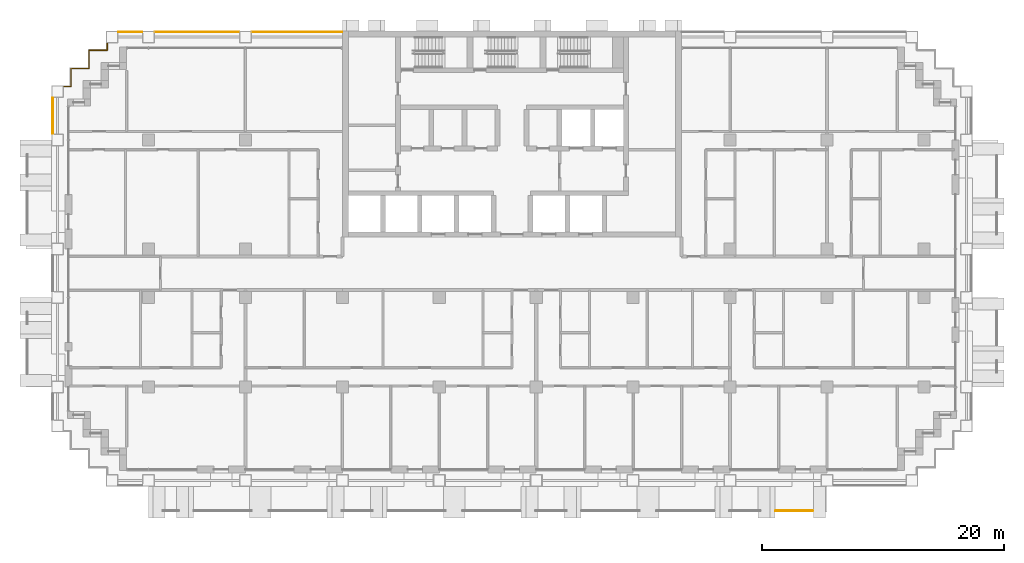
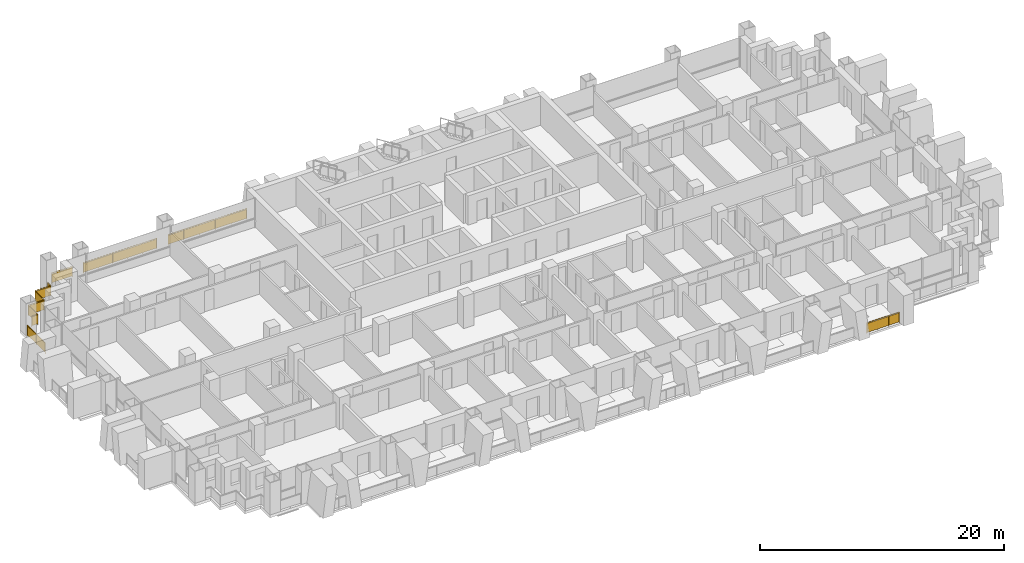
# One storey, part 16 of 18: 6 railings.
"""IFC4 building model written with IfcOpenShell, lengths in metres."""

from ifc_helpers import new_model, si_unit, direction, frame, origin, origin_2d, place, context, subcontext, project, spatial, rectangle, circle, extrude, material, type_object, element, save


model = new_model("IFC4")

# Units and contexts
model_context = context("Model", 3, precision=1e-05, world=origin(), true_north=direction((0.0, 1.0)))
body_context = subcontext(model_context, "Body", "Model", "MODEL_VIEW")
ifc_project = project(units=[si_unit("LENGTHUNIT", "METRE"), si_unit("AREAUNIT", "SQUARE_METRE"), si_unit("VOLUMEUNIT", "CUBIC_METRE"), si_unit("PLANEANGLEUNIT", "RADIAN"), si_unit("MASSUNIT", "GRAM", prefix="KILO")], contexts=[model_context])

# Site, building, storey
site_placement = place(None, origin())
site = spatial("IfcSite", under=ifc_project, at=site_placement, CompositionType="ELEMENT")
building_placement = place(site_placement, origin())
building = spatial("IfcBuilding", under=site, at=building_placement, Name="Vidyagriha Tower", CompositionType="ELEMENT")
storey_placement = place(building_placement, frame((0.0, 0.0, 41.60009765625)))
storey = spatial("IfcBuildingStorey", under=building, at=storey_placement, Name="L10", CompositionType="ELEMENT", Elevation=41.60009765625)

# Railings
ifc_material_1 = material(Name="Steel ASTM A500 Grade C black painted", Category="steel")
railing_type_1 = type_object("IfcRailingType", Name="Balcony guard 1100", PredefinedType="BALUSTRADE", material=ifc_material_1)
railing_1_placement = place(storey_placement, frame((21.75, -19.60009765625, 0.0)))
element("IfcRailing", 1, at=railing_1_placement, inside=storey, type_object=railing_type_1, Name="Balcony guard L10 R23.1-11", PredefinedType="BALUSTRADE", context=body_context, shape_type="SweptSolid", body=[
    extrude(circle(Radius=0.02490234375, at=origin_2d()), frame((0.0, 0.0, 1.0751953125), z_axis=(1.0, 0.0, 0.0), x_axis=(0.0, 1.0, 0.0)), (0.0, 0.0, 1.0), 3.074951171875),
    extrude(circle(Radius=0.02001953125, at=origin_2d()), origin(), (0.0, 0.0, 1.0), 1.050048828125),
    extrude(circle(Radius=0.02001953125, at=origin_2d()), frame((1.02490234375, 0.0, 0.0)), (0.0, 0.0, 1.0), 1.050048828125),
    extrude(circle(Radius=0.02001953125, at=origin_2d()), frame((2.050048828125, 0.0, 0.0)), (0.0, 0.0, 1.0), 1.050048828125),
    extrude(circle(Radius=0.02001953125, at=origin_2d()), frame((3.074951171875, 0.0, 0.0)), (0.0, 0.0, 1.0), 1.050048828125),
    extrude(rectangle(XDim=0.010009765625, YDim=0.900146484375, at=origin_2d()), frame((0.0, 0.0, 0.550048828125), z_axis=(1.0, 0.0, 0.0), x_axis=(0.0, 1.0, 0.0)), (0.0, 0.0, 1.0), 3.074951171875),
])
ifc_material_2 = material(Name="Steel ASTM A500 Grade C black painted", Category="steel")
railing_type_2 = type_object("IfcRailingType", Name="Gallery guard 1100", PredefinedType="GUARDRAIL", material=ifc_material_2)
railing_2_placement = place(storey_placement, frame((-37.89990234375, 11.530029296875, 0.0)))
element("IfcRailing", 2, at=railing_2_placement, inside=storey, type_object=railing_type_2, Name="Gallery guard L10 3", PredefinedType="GUARDRAIL", context=body_context, shape_type="SweptSolid", body=[
    extrude(circle(Radius=0.02490234375, at=origin_2d()), frame((0.0, 0.0, 1.0751953125), z_axis=(0.0, 1.0, 0.0), x_axis=(-1.0, 0.0, 0.0)), (0.0, 0.0, 1.0), 2.93994140625),
    extrude(circle(Radius=0.02001953125, at=origin_2d()), origin(), (0.0, 0.0, 1.0), 1.050048828125),
    extrude(circle(Radius=0.02001953125, at=origin_2d()), frame((0.0, 1.469970703125, 0.0)), (0.0, 0.0, 1.0), 1.050048828125),
    extrude(circle(Radius=0.02001953125, at=origin_2d()), frame((0.0, 2.93994140625, 0.0)), (0.0, 0.0, 1.0), 1.050048828125),
    extrude(rectangle(XDim=0.010009765625, YDim=0.900146484375, at=origin_2d()), frame((0.0, 0.0, 0.550048828125), z_axis=(0.0, 1.0, 0.0), x_axis=(-1.0, 0.0, 0.0)), (0.0, 0.0, 1.0), 2.93994140625),
])
railing_3_placement = place(storey_placement, frame((-36.969970703125, 15.39990234375, 0.0)))
element("IfcRailing", 3, at=railing_3_placement, inside=storey, type_object=railing_type_2, Name="Gallery guard L10 5", PredefinedType="GUARDRAIL", context=body_context, shape_type="SweptSolid", body=[
    extrude(circle(Radius=0.02490234375, at=origin_2d()), frame((0.0, 0.0, 1.0751953125), z_axis=(1.0, 0.0, 0.0), x_axis=(0.0, 1.0, 0.0)), (0.0, 0.0, 1.0), 0.570068359375),
    extrude(circle(Radius=0.02490234375, at=origin_2d()), frame((0.570068359375, 0.0, 1.0751953125), z_axis=(0.0, 1.0, 0.0), x_axis=(-1.0, 0.0, 0.0)), (0.0, 0.0, 1.0), 1.5),
    extrude(circle(Radius=0.02490234375, at=origin_2d()), frame((0.570068359375, 1.5, 1.0751953125), z_axis=(1.0, 0.0, 0.0), x_axis=(0.0, 1.0, 0.0)), (0.0, 0.0, 1.0), 1.5),
    extrude(circle(Radius=0.02490234375, at=origin_2d()), frame((2.070068359375, 1.5, 1.0751953125), z_axis=(0.0, 1.0, 0.0), x_axis=(-1.0, 0.0, 0.0)), (0.0, 0.0, 1.0), 1.5),
    extrude(circle(Radius=0.02490234375, at=origin_2d()), frame((2.070068359375, 3.0, 1.0751953125), z_axis=(1.0, 0.0, 0.0), x_axis=(0.0, 1.0, 0.0)), (0.0, 0.0, 1.0), 1.5),
    extrude(circle(Radius=0.02490234375, at=origin_2d()), frame((3.570068359375, 3.0, 1.0751953125), z_axis=(0.0, 1.0, 0.0), x_axis=(-1.0, 0.0, 0.0)), (0.0, 0.0, 1.0), 0.570068359375),
    extrude(circle(Radius=0.02001953125, at=origin_2d()), origin(), (0.0, 0.0, 1.0), 1.050048828125),
    extrude(circle(Radius=0.02001953125, at=origin_2d()), frame((0.570068359375, 0.0, 0.0)), (0.0, 0.0, 1.0), 1.050048828125),
    extrude(circle(Radius=0.02001953125, at=origin_2d()), frame((0.570068359375, 1.5, 0.0)), (0.0, 0.0, 1.0), 1.050048828125),
    extrude(circle(Radius=0.02001953125, at=origin_2d()), frame((2.070068359375, 1.5, 0.0)), (0.0, 0.0, 1.0), 1.050048828125),
    extrude(circle(Radius=0.02001953125, at=origin_2d()), frame((2.070068359375, 3.0, 0.0)), (0.0, 0.0, 1.0), 1.050048828125),
    extrude(circle(Radius=0.02001953125, at=origin_2d()), frame((3.570068359375, 3.0, 0.0)), (0.0, 0.0, 1.0), 1.050048828125),
    extrude(circle(Radius=0.02001953125, at=origin_2d()), frame((3.570068359375, 3.570068359375, 0.0)), (0.0, 0.0, 1.0), 1.050048828125),
    extrude(rectangle(XDim=0.010009765625, YDim=0.900146484375, at=origin_2d()), frame((0.0, 0.0, 0.550048828125), z_axis=(1.0, 0.0, 0.0), x_axis=(0.0, 1.0, 0.0)), (0.0, 0.0, 1.0), 0.570068359375),
    extrude(rectangle(XDim=0.010009765625, YDim=0.900146484375, at=origin_2d()), frame((0.570068359375, 0.0, 0.550048828125), z_axis=(0.0, 1.0, 0.0), x_axis=(-1.0, 0.0, 0.0)), (0.0, 0.0, 1.0), 1.5),
    extrude(rectangle(XDim=0.010009765625, YDim=0.900146484375, at=origin_2d()), frame((0.570068359375, 1.5, 0.550048828125), z_axis=(1.0, 0.0, 0.0), x_axis=(0.0, 1.0, 0.0)), (0.0, 0.0, 1.0), 1.5),
    extrude(rectangle(XDim=0.010009765625, YDim=0.900146484375, at=origin_2d()), frame((2.070068359375, 1.5, 0.550048828125), z_axis=(0.0, 1.0, 0.0), x_axis=(-1.0, 0.0, 0.0)), (0.0, 0.0, 1.0), 1.5),
    extrude(rectangle(XDim=0.010009765625, YDim=0.900146484375, at=origin_2d()), frame((2.070068359375, 3.0, 0.550048828125), z_axis=(1.0, 0.0, 0.0), x_axis=(0.0, 1.0, 0.0)), (0.0, 0.0, 1.0), 1.5),
    extrude(rectangle(XDim=0.010009765625, YDim=0.900146484375, at=origin_2d()), frame((3.570068359375, 3.0, 0.550048828125), z_axis=(0.0, 1.0, 0.0), x_axis=(-1.0, 0.0, 0.0)), (0.0, 0.0, 1.0), 0.570068359375),
])
railing_4_placement = place(storey_placement, frame((-32.469970703125, 19.89990234375, 0.0)))
element("IfcRailing", 4, at=railing_4_placement, inside=storey, type_object=railing_type_2, Name="Gallery guard L10 7", PredefinedType="GUARDRAIL", context=body_context, shape_type="SweptSolid", body=[
    extrude(circle(Radius=0.02490234375, at=origin_2d()), frame((0.0, 0.0, 1.0751953125), z_axis=(1.0, 0.0, 0.0), x_axis=(0.0, 1.0, 0.0)), (0.0, 0.0, 1.0), 1.93994140625),
    extrude(circle(Radius=0.02001953125, at=origin_2d()), origin(), (0.0, 0.0, 1.0), 1.050048828125),
    extrude(circle(Radius=0.02001953125, at=origin_2d()), frame((0.969970703125, 0.0, 0.0)), (0.0, 0.0, 1.0), 1.050048828125),
    extrude(circle(Radius=0.02001953125, at=origin_2d()), frame((1.93994140625, 0.0, 0.0)), (0.0, 0.0, 1.0), 1.050048828125),
    extrude(rectangle(XDim=0.010009765625, YDim=0.900146484375, at=origin_2d()), frame((0.0, 0.0, 0.550048828125), z_axis=(1.0, 0.0, 0.0), x_axis=(0.0, 1.0, 0.0)), (0.0, 0.0, 1.0), 1.93994140625),
])
railing_5_placement = place(storey_placement, frame((-29.469970703125, 19.89990234375, 0.0)))
element("IfcRailing", 5, at=railing_5_placement, inside=storey, type_object=railing_type_2, Name="Gallery guard L10 8", PredefinedType="GUARDRAIL", context=body_context, shape_type="SweptSolid", body=[
    extrude(circle(Radius=0.02490234375, at=origin_2d()), frame((0.0, 0.0, 1.0751953125), z_axis=(1.0, 0.0, 0.0), x_axis=(0.0, 1.0, 0.0)), (0.0, 0.0, 1.0), 6.93994140625),
    extrude(circle(Radius=0.02001953125, at=origin_2d()), origin(), (0.0, 0.0, 1.0), 1.050048828125),
    extrude(circle(Radius=0.02001953125, at=origin_2d()), frame((1.387939453125, 0.0, 0.0)), (0.0, 0.0, 1.0), 1.050048828125),
    extrude(circle(Radius=0.02001953125, at=origin_2d()), frame((2.77587890625, 0.0, 0.0)), (0.0, 0.0, 1.0), 1.050048828125),
    extrude(circle(Radius=0.02001953125, at=origin_2d()), frame((4.1640625, 0.0, 0.0)), (0.0, 0.0, 1.0), 1.050048828125),
    extrude(circle(Radius=0.02001953125, at=origin_2d()), frame((5.552001953125, 0.0, 0.0)), (0.0, 0.0, 1.0), 1.050048828125),
    extrude(circle(Radius=0.02001953125, at=origin_2d()), frame((6.93994140625, 0.0, 0.0)), (0.0, 0.0, 1.0), 1.050048828125),
    extrude(rectangle(XDim=0.010009765625, YDim=0.900146484375, at=origin_2d()), frame((0.0, 0.0, 0.550048828125), z_axis=(1.0, 0.0, 0.0), x_axis=(0.0, 1.0, 0.0)), (0.0, 0.0, 1.0), 6.93994140625),
])
railing_6_placement = place(storey_placement, frame((-21.469970703125, 19.89990234375, 0.0)))
element("IfcRailing", 6, at=railing_6_placement, inside=storey, type_object=railing_type_2, Name="Gallery guard L10 9", PredefinedType="GUARDRAIL", context=body_context, shape_type="SweptSolid", body=[
    extrude(circle(Radius=0.02490234375, at=origin_2d()), frame((0.0, 0.0, 1.0751953125), z_axis=(1.0, 0.0, 0.0), x_axis=(0.0, 1.0, 0.0)), (0.0, 0.0, 1.0), 7.43994140625),
    extrude(circle(Radius=0.02001953125, at=origin_2d()), origin(), (0.0, 0.0, 1.0), 1.050048828125),
    extrude(circle(Radius=0.02001953125, at=origin_2d()), frame((1.488037109375, 0.0, 0.0)), (0.0, 0.0, 1.0), 1.050048828125),
    extrude(circle(Radius=0.02001953125, at=origin_2d()), frame((2.97607421875, 0.0, 0.0)), (0.0, 0.0, 1.0), 1.050048828125),
    extrude(circle(Radius=0.02001953125, at=origin_2d()), frame((4.4638671875, 0.0, 0.0)), (0.0, 0.0, 1.0), 1.050048828125),
    extrude(circle(Radius=0.02001953125, at=origin_2d()), frame((5.951904296875, 0.0, 0.0)), (0.0, 0.0, 1.0), 1.050048828125),
    extrude(circle(Radius=0.02001953125, at=origin_2d()), frame((7.43994140625, 0.0, 0.0)), (0.0, 0.0, 1.0), 1.050048828125),
    extrude(rectangle(XDim=0.010009765625, YDim=0.900146484375, at=origin_2d()), frame((0.0, 0.0, 0.550048828125), z_axis=(1.0, 0.0, 0.0), x_axis=(0.0, 1.0, 0.0)), (0.0, 0.0, 1.0), 7.43994140625),
])

save(model, "model.ifc")
